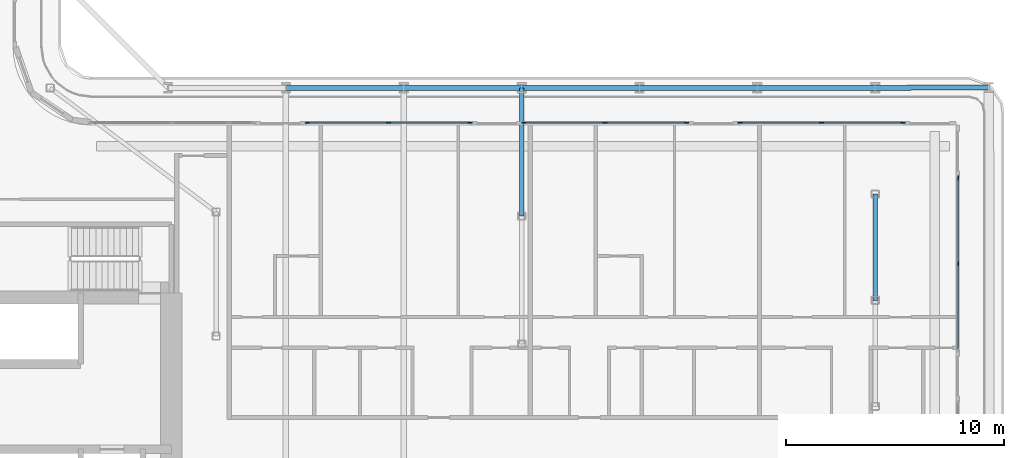
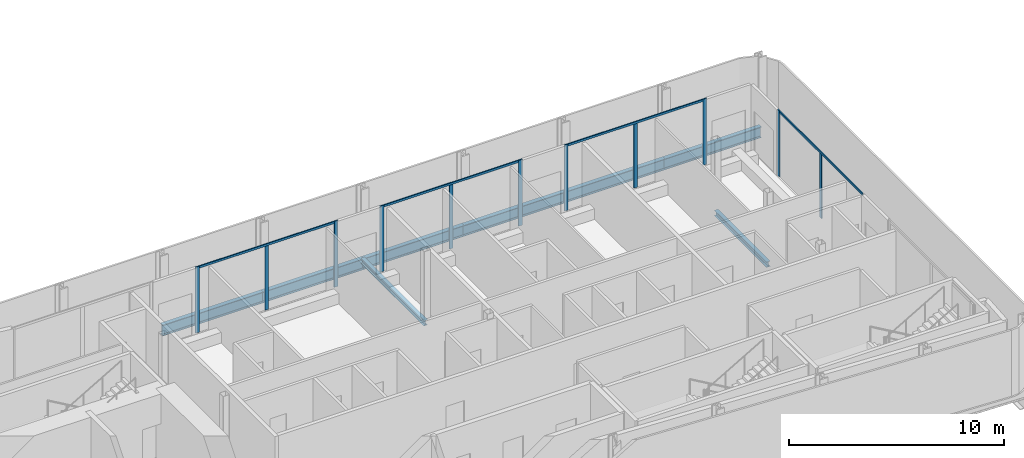
# One storey, part 6 of 25: 15 members, 8 beams, 4 elements without a shape of their own.
"""IFC4 building model written with IfcOpenShell, lengths in metres."""

from ifc_helpers import new_model, si_unit, direction, frame, origin, origin_2d, place, context, subcontext, project, spatial, rectangle, i_section, extrude, material, layer, layer_set, material_profile, profile_set, type_object, element, aggregate, save


model = new_model("IFC4")

# Units and contexts
model_context = context("Model", 3, precision=1e-05, world=origin(), true_north=direction((0.0, 1.0)))
body_context = subcontext(model_context, "Body", "Model", "MODEL_VIEW")
ifc_project = project(units=[si_unit("LENGTHUNIT", "METRE"), si_unit("AREAUNIT", "SQUARE_METRE"), si_unit("VOLUMEUNIT", "CUBIC_METRE"), si_unit("PLANEANGLEUNIT", "RADIAN"), si_unit("MASSUNIT", "GRAM", prefix="KILO")], contexts=[model_context])

# Site, building, storey
site_placement = place(None, origin())
site = spatial("IfcSite", under=ifc_project, at=site_placement, CompositionType="ELEMENT")
building_placement = place(site_placement, origin())
building = spatial("IfcBuilding", under=site, at=building_placement, Name="Kheshtan School and Residences Tower", CompositionType="ELEMENT")
storey_placement = place(building_placement, frame((0.0, 0.0, 34.39990234375)))
storey = spatial("IfcBuildingStorey", under=building, at=storey_placement, Name="L07", CompositionType="ELEMENT", Elevation=34.39990234375)

# Beams
ifc_material_1 = material(Name="Steel ASTM A992 Grade 50", Category="steel")
ifc_material_profile_1 = material_profile(ifc_material_1, i_section(OverallWidth=0.202880859375, OverallDepth=0.302978515625, WebThickness=0.007568359375, FlangeThickness=0.01318359375, FilletRadius=0.009033203125, at=origin_2d()), Name="W310x60")
ifc_profile_set_1 = profile_set([ifc_material_profile_1], Name="Steel ASTM A992 Grade 50")
beam_type_1 = type_object("IfcBeamType", Name="Beam FB1 W310x60 ASTM A992 Grade 50", PredefinedType="BEAM", material=ifc_profile_set_1)
beam_1_placement = place(storey_placement, frame((69.199951171875, 45.60009765625, -0.301513671875), z_axis=(0.0, -1.0, 0.0), x_axis=(1.0, 0.0, 0.0)))
element("IfcBeam", 1, at=beam_1_placement, inside=storey, type_object=beam_type_1, Name="Floor beam C064", PredefinedType="BEAM", context=body_context, shape_type="SweptSolid", body=[
    extrude(i_section(OverallWidth=0.202880859375, OverallDepth=0.302978515625, WebThickness=0.007568359375, FlangeThickness=0.01318359375, FilletRadius=0.009033203125, at=origin_2d()), origin(), (0.0, 0.0, 1.0), 5.8681640625),
])
beam_2_placement = place(storey_placement, frame((85.39990234375, 40.735107421875, -0.301513671875), z_axis=(0.0, -1.0, 0.0), x_axis=(1.0, 0.0, 0.0)))
element("IfcBeam", 2, at=beam_2_placement, inside=storey, type_object=beam_type_1, Name="Floor beam IC", PredefinedType="BEAM", context=body_context, shape_type="SweptSolid", body=[
    extrude(i_section(OverallWidth=0.202880859375, OverallDepth=0.302978515625, WebThickness=0.007568359375, FlangeThickness=0.01318359375, FilletRadius=0.009033203125, at=origin_2d()), origin(), (0.0, 0.0, 1.0), 4.864990234375),
])
ifc_material_profile_2 = material_profile(ifc_material_1, i_section(OverallWidth=0.22998046875, OverallDepth=0.616943359375, WebThickness=0.01318359375, FlangeThickness=0.022216796875, FilletRadius=0.0185546875, at=origin_2d()), Name="W610x140")
ifc_profile_set_2 = profile_set([ifc_material_profile_2], Name="Steel ASTM A992 Grade 50")
beam_type_2 = type_object("IfcBeamType", Name="Beam SP1 W610x140 ASTM A992 Grade 50", PredefinedType="BEAM", material=ifc_profile_set_2)
beam_3_placement = place(storey_placement, frame((58.39990234375, 45.60009765625, -0.45849609375), z_axis=(1.0, 0.0, 0.0), x_axis=(0.0, 1.0, 0.0)))
element("IfcBeam", 3, at=beam_3_placement, inside=storey, type_object=beam_type_2, Name="Spandrel beam C062-C063", PredefinedType="BEAM", context=body_context, shape_type="SweptSolid", body=[
    extrude(i_section(OverallWidth=0.22998046875, OverallDepth=0.616943359375, WebThickness=0.01318359375, FlangeThickness=0.022216796875, FilletRadius=0.0185546875, at=origin_2d()), origin(), (0.0, 0.0, 1.0), 5.400146484375),
])
beam_4_placement = place(storey_placement, frame((63.800048828125, 45.60009765625, -0.45849609375), z_axis=(1.0, 0.0, 0.0), x_axis=(0.0, 1.0, 0.0)))
element("IfcBeam", 4, at=beam_4_placement, inside=storey, type_object=beam_type_2, Name="Spandrel beam C063-C064", PredefinedType="BEAM", context=body_context, shape_type="SweptSolid", body=[
    extrude(i_section(OverallWidth=0.22998046875, OverallDepth=0.616943359375, WebThickness=0.01318359375, FlangeThickness=0.022216796875, FilletRadius=0.0185546875, at=origin_2d()), origin(), (0.0, 0.0, 1.0), 5.39990234375),
])
beam_5_placement = place(storey_placement, frame((69.199951171875, 45.60009765625, -0.45849609375), z_axis=(1.0, 0.0, 0.0), x_axis=(0.0, 1.0, 0.0)))
element("IfcBeam", 5, at=beam_5_placement, inside=storey, type_object=beam_type_2, Name="Spandrel beam C064-C065", PredefinedType="BEAM", context=body_context, shape_type="SweptSolid", body=[
    extrude(i_section(OverallWidth=0.22998046875, OverallDepth=0.616943359375, WebThickness=0.01318359375, FlangeThickness=0.022216796875, FilletRadius=0.0185546875, at=origin_2d()), origin(), (0.0, 0.0, 1.0), 5.400146484375),
])
for number, where, z_axis, x_axis, name in (
    (6, (74.60009765625, 45.60009765625, -0.45849609375), (1.0, 0.0, 0.0), (0.0, 1.0, 0.0), "Spandrel beam C065-C066"),
    (7, (80.0, 45.60009765625, -0.45849609375), (1.0, 0.0, 0.0), (0.0, 1.0, 0.0), "Spandrel beam C066-C067"),
):
    element("IfcBeam", number, at=place(storey_placement, frame(where, z_axis=z_axis, x_axis=x_axis)), inside=storey, type_object=beam_type_2, Name=name, PredefinedType="BEAM", context=body_context, shape_type="SweptSolid", body=[
        extrude(i_section(OverallWidth=0.22998046875, OverallDepth=0.616943359375, WebThickness=0.01318359375, FlangeThickness=0.022216796875, FilletRadius=0.0185546875, at=origin_2d()), origin(), (0.0, 0.0, 1.0), 5.39990234375),
    ])
beam_6_placement = place(storey_placement, frame((85.39990234375, 45.60009765625, -0.45849609375), z_axis=(0.99999185222, 0.00403676771, 0.0), x_axis=(-0.00403676771, 0.99999185222, 0.0)))
element("IfcBeam", 8, at=beam_6_placement, inside=storey, type_object=beam_type_2, Name="Spandrel beam C067-C075", PredefinedType="BEAM", context=body_context, shape_type="SweptSolid", body=[
    extrude(i_section(OverallWidth=0.22998046875, OverallDepth=0.616943359375, WebThickness=0.01318359375, FlangeThickness=0.022216796875, FilletRadius=0.0185546875, at=origin_2d()), origin(), (0.0, 0.0, 1.0), 5.201171875),
])

# Curtain wall, members
ifc_material_2 = material(Name="Clear low-e glass in thermally broken aluminium frame", Category="aluminium")
ifc_layer = layer(ifc_material_2, 0.199951171875)
ifc_layer_set = layer_set([ifc_layer], Name="Curtain wall CW-L")
curtain_wall_type = type_object("IfcCurtainWallType", Name="Curtain wall CW-L", PredefinedType="NOTDEFINED", material=ifc_layer_set)
curtain_wall_1_placement = place(storey_placement, origin())
curtain_wall_1 = element("IfcCurtainWall", 9, at=curtain_wall_1_placement, inside=storey, type_object=curtain_wall_type, Name="Curtain wall CWL12a", PredefinedType="NOTDEFINED")
ifc_material_3 = material(Name="Thermally broken aluminium, dark bronze anodised", Category="aluminium")
ifc_material_profile_3 = material_profile(ifc_material_3, rectangle(XDim=0.06005859375, YDim=0.199951171875, at=origin_2d()), Name="CW-L mullion 60x200")
ifc_profile_set_3 = profile_set([ifc_material_profile_3], Name="Thermally broken aluminium, dark bronze anodised")
member_type_1 = type_object("IfcMemberType", Name="CW-L mullion 60x200", PredefinedType="MULLION", material=ifc_profile_set_3)
member_1_placement = place(storey_placement, frame((59.37744140625, 44.0, 0.0), z_axis=(0.0, 0.0, 1.0), x_axis=(0.0, 1.0, 0.0)))
member_1 = element("IfcMember", 10, at=member_1_placement, type_object=member_type_1, Name="CWL12a mullion 1", PredefinedType="MULLION", context=body_context, shape_type="SweptSolid", body=[
    extrude(rectangle(XDim=0.06005859375, YDim=0.199951171875, at=origin_2d()), origin(), (0.0, 0.0, 1.0), 3.75),
])
member_2_placement = place(storey_placement, frame((63.106201171875, 44.0, 0.0), z_axis=(0.0, 0.0, 1.0), x_axis=(0.0, 1.0, 0.0)))
member_2 = element("IfcMember", 11, at=member_2_placement, type_object=member_type_1, Name="CWL12a mullion 2", PredefinedType="MULLION", context=body_context, shape_type="SweptSolid", body=[
    extrude(rectangle(XDim=0.06005859375, YDim=0.199951171875, at=origin_2d()), origin(), (0.0, 0.0, 1.0), 3.630126953125),
])
member_3_placement = place(storey_placement, frame((66.8349609375, 44.0, 0.0), z_axis=(0.0, 0.0, 1.0), x_axis=(0.0, 1.0, 0.0)))
member_3 = element("IfcMember", 12, at=member_3_placement, type_object=member_type_1, Name="CWL12a mullion 3", PredefinedType="MULLION", context=body_context, shape_type="SweptSolid", body=[
    extrude(rectangle(XDim=0.06005859375, YDim=0.199951171875, at=origin_2d()), origin(), (0.0, 0.0, 1.0), 3.75),
])

curtain_wall_2_placement = place(storey_placement, origin())
curtain_wall_2 = element("IfcCurtainWall", 13, at=curtain_wall_2_placement, inside=storey, type_object=curtain_wall_type, Name="Curtain wall CWL12a", PredefinedType="NOTDEFINED")
member_4_placement = place(storey_placement, frame((69.294921875, 44.0, 0.0), z_axis=(0.0, 0.0, 1.0), x_axis=(0.0, 1.0, 0.0)))
member_4 = element("IfcMember", 14, at=member_4_placement, type_object=member_type_1, Name="CWL12a mullion 1", PredefinedType="MULLION", context=body_context, shape_type="SweptSolid", body=[
    extrude(rectangle(XDim=0.06005859375, YDim=0.199951171875, at=origin_2d()), origin(), (0.0, 0.0, 1.0), 3.75),
])
member_5_placement = place(storey_placement, frame((73.023681640625, 44.0, 0.0), z_axis=(0.0, 0.0, 1.0), x_axis=(0.0, 1.0, 0.0)))
member_5 = element("IfcMember", 15, at=member_5_placement, type_object=member_type_1, Name="CWL12a mullion 2", PredefinedType="MULLION", context=body_context, shape_type="SweptSolid", body=[
    extrude(rectangle(XDim=0.06005859375, YDim=0.199951171875, at=origin_2d()), origin(), (0.0, 0.0, 1.0), 3.630126953125),
])
member_6_placement = place(storey_placement, frame((76.75244140625, 44.0, 0.0), z_axis=(0.0, 0.0, 1.0), x_axis=(0.0, 1.0, 0.0)))
member_6 = element("IfcMember", 16, at=member_6_placement, type_object=member_type_1, Name="CWL12a mullion 3", PredefinedType="MULLION", context=body_context, shape_type="SweptSolid", body=[
    extrude(rectangle(XDim=0.06005859375, YDim=0.199951171875, at=origin_2d()), origin(), (0.0, 0.0, 1.0), 3.75),
])

curtain_wall_3_placement = place(storey_placement, origin())
curtain_wall_3 = element("IfcCurtainWall", 17, at=curtain_wall_3_placement, inside=storey, type_object=curtain_wall_type, Name="Curtain wall CWL12a", PredefinedType="NOTDEFINED")
member_7_placement = place(storey_placement, frame((79.21240234375, 44.0, 0.0), z_axis=(0.0, 0.0, 1.0), x_axis=(0.0, 1.0, 0.0)))
member_7 = element("IfcMember", 18, at=member_7_placement, type_object=member_type_1, Name="CWL12a mullion 1", PredefinedType="MULLION", context=body_context, shape_type="SweptSolid", body=[
    extrude(rectangle(XDim=0.06005859375, YDim=0.199951171875, at=origin_2d()), origin(), (0.0, 0.0, 1.0), 3.75),
])
member_8_placement = place(storey_placement, frame((82.941162109375, 44.0, 0.0), z_axis=(0.0, 0.0, 1.0), x_axis=(0.0, 1.0, 0.0)))
member_8 = element("IfcMember", 19, at=member_8_placement, type_object=member_type_1, Name="CWL12a mullion 2", PredefinedType="MULLION", context=body_context, shape_type="SweptSolid", body=[
    extrude(rectangle(XDim=0.06005859375, YDim=0.199951171875, at=origin_2d()), origin(), (0.0, 0.0, 1.0), 3.630126953125),
])
member_9_placement = place(storey_placement, frame((86.669921875, 44.0, 0.0), z_axis=(0.0, 0.0, 1.0), x_axis=(0.0, 1.0, 0.0)))
member_9 = element("IfcMember", 20, at=member_9_placement, type_object=member_type_1, Name="CWL12a mullion 3", PredefinedType="MULLION", context=body_context, shape_type="SweptSolid", body=[
    extrude(rectangle(XDim=0.06005859375, YDim=0.199951171875, at=origin_2d()), origin(), (0.0, 0.0, 1.0), 3.75),
])

curtain_wall_4_placement = place(storey_placement, origin())
curtain_wall_4 = element("IfcCurtainWall", 21, at=curtain_wall_4_placement, inside=storey, type_object=curtain_wall_type, Name="Curtain wall CWL13", PredefinedType="NOTDEFINED")
member_10_placement = place(storey_placement, frame((89.199951171875, 41.469970703125, 0.0), z_axis=(0.0, 0.0, 1.0), x_axis=(1.0, 0.0, 0.0)))
member_10 = element("IfcMember", 22, at=member_10_placement, type_object=member_type_1, Name="CWL13 mullion 1", PredefinedType="MULLION", context=body_context, shape_type="SweptSolid", body=[
    extrude(rectangle(XDim=0.06005859375, YDim=0.199951171875, at=origin_2d()), origin(), (0.0, 0.0, 1.0), 3.75),
])
member_11_placement = place(storey_placement, frame((89.199951171875, 37.545654296875, 0.0), z_axis=(0.0, 0.0, 1.0), x_axis=(1.0, 0.0, 0.0)))
member_11 = element("IfcMember", 23, at=member_11_placement, type_object=member_type_1, Name="CWL13 mullion 2", PredefinedType="MULLION", context=body_context, shape_type="SweptSolid", body=[
    extrude(rectangle(XDim=0.06005859375, YDim=0.199951171875, at=origin_2d()), origin(), (0.0, 0.0, 1.0), 3.630126953125),
])

# Member
ifc_material_profile_4 = material_profile(ifc_material_3, rectangle(XDim=0.06005859375, YDim=0.1201171875, at=origin_2d()), Name="CW-L transom 60x120")
ifc_profile_set_4 = profile_set([ifc_material_profile_4], Name="Thermally broken aluminium, dark bronze anodised")
member_type_2 = type_object("IfcMemberType", Name="CW-L transom 60x120", PredefinedType="USERDEFINED", material=ifc_profile_set_4)
member_12_placement = place(storey_placement, frame((59.407470703125, 44.0, 3.690185546875), z_axis=(1.0, 0.0, 0.0), x_axis=(0.0, 1.0, 0.0)))
member_12 = element("IfcMember", 24, at=member_12_placement, type_object=member_type_2, Name="CWL12a transom 1", ObjectType="TRANSOM", PredefinedType="USERDEFINED", context=body_context, shape_type="SweptSolid", body=[
    extrude(rectangle(XDim=0.06005859375, YDim=0.1201171875, at=origin_2d()), origin(), (0.0, 0.0, 1.0), 7.3974609375),
])

aggregate(curtain_wall_1, [member_1, member_2, member_3, member_12])

member_13_placement = place(storey_placement, frame((69.324951171875, 44.0, 3.690185546875), z_axis=(1.0, 0.0, 0.0), x_axis=(0.0, 1.0, 0.0)))
member_13 = element("IfcMember", 25, at=member_13_placement, type_object=member_type_2, Name="CWL12a transom 1", ObjectType="TRANSOM", PredefinedType="USERDEFINED", context=body_context, shape_type="SweptSolid", body=[
    extrude(rectangle(XDim=0.06005859375, YDim=0.1201171875, at=origin_2d()), origin(), (0.0, 0.0, 1.0), 7.3974609375),
])

aggregate(curtain_wall_2, [member_4, member_5, member_6, member_13])

member_14_placement = place(storey_placement, frame((79.242431640625, 44.0, 3.690185546875), z_axis=(1.0, 0.0, 0.0), x_axis=(0.0, 1.0, 0.0)))
member_14 = element("IfcMember", 26, at=member_14_placement, type_object=member_type_2, Name="CWL12a transom 1", ObjectType="TRANSOM", PredefinedType="USERDEFINED", context=body_context, shape_type="SweptSolid", body=[
    extrude(rectangle(XDim=0.06005859375, YDim=0.1201171875, at=origin_2d()), origin(), (0.0, 0.0, 1.0), 7.3974609375),
])

aggregate(curtain_wall_3, [member_7, member_8, member_9, member_14])

member_15_placement = place(storey_placement, frame((89.199951171875, 41.43994140625, 3.690185546875), z_axis=(0.0, -1.0, 0.0), x_axis=(1.0, 0.0, 0.0)))
member_15 = element("IfcMember", 27, at=member_15_placement, type_object=member_type_2, Name="CWL13 transom 1", ObjectType="TRANSOM", PredefinedType="USERDEFINED", context=body_context, shape_type="SweptSolid", body=[
    extrude(rectangle(XDim=0.06005859375, YDim=0.1201171875, at=origin_2d()), origin(), (0.0, 0.0, 1.0), 7.788330078125),
])

aggregate(curtain_wall_4, [member_10, member_11, member_15])

save(model, "model.ifc")
